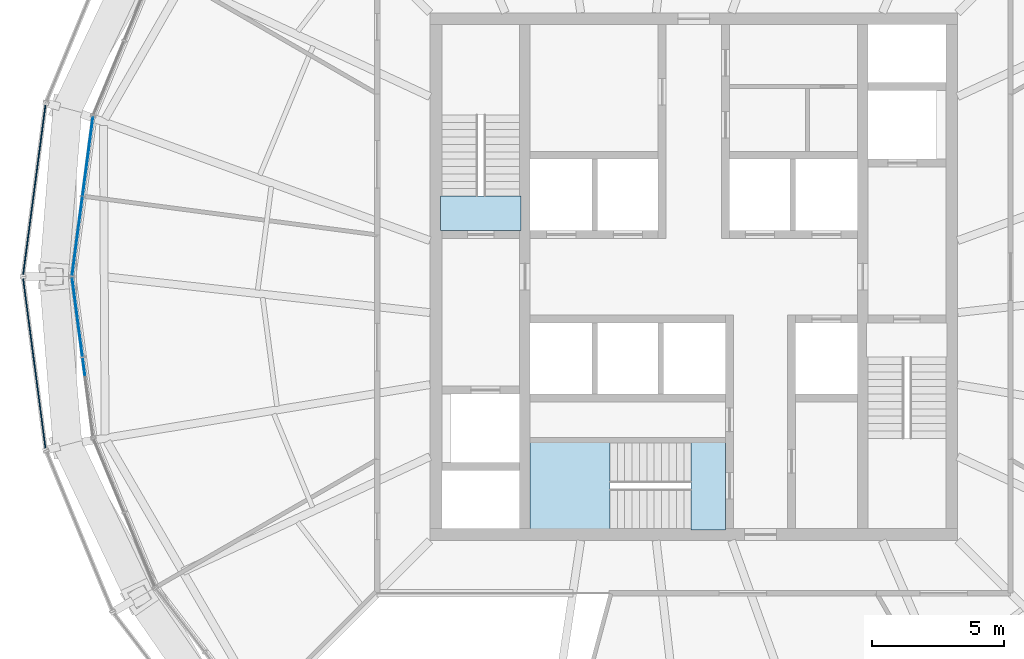
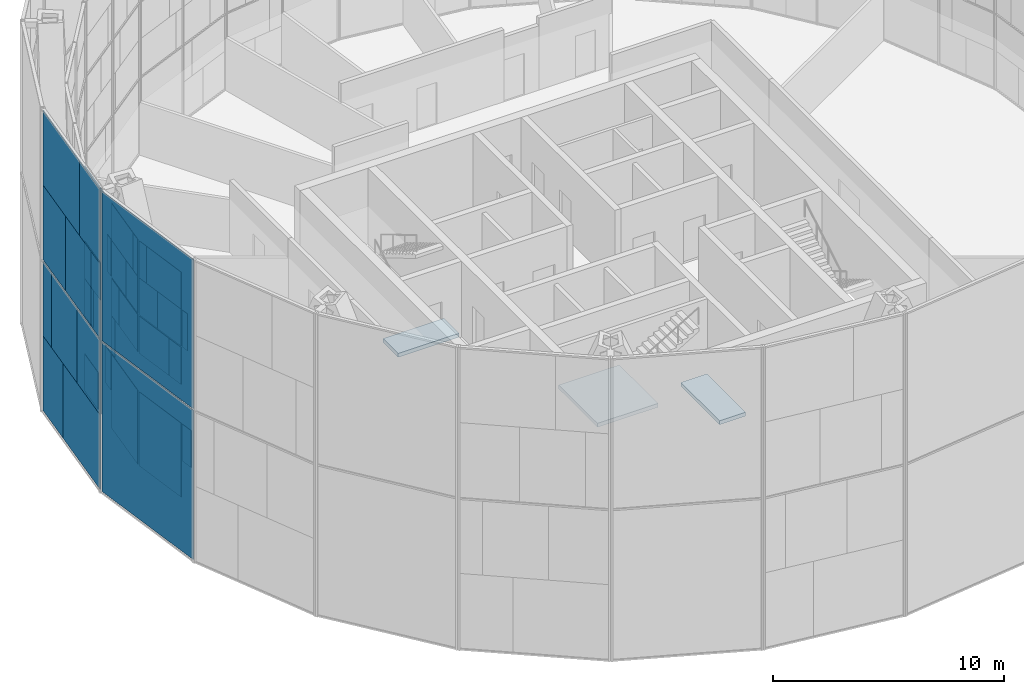
# One storey, part 14 of 26: 43 plates, 3 slabs, 5 elements without a shape of their own.
"""IFC4 building model written with IfcOpenShell, lengths in metres."""

import ifcopenshell
import ifcopenshell.guid

model = None  # the IFC model being written
_history = None  # IfcOwnerHistory: only IFC2X3 demands one
_inside = {}  # id of a spatial element -> (the spatial element, [elements in it])
_under = {}  # id of a project, library or spatial element -> (it, [spatial elements below it])
_declared = {}  # id of a project -> (the project, [libraries it declares])
_typed = {}  # id of a type object -> (the type object, [elements of that type])
_made_of = {}  # id of a material, layer set ... -> (it, [elements and type objects made of it])


def new_model(schema):
    """Start an empty IFC model of exactly this schema.

    Asked for "IFC4X3", IfcOpenShell would pick the latest addendum, in which some entities
    have other attributes; the version numbers below select the first issue.
    IFC2X3 requires an IfcOwnerHistory on every rooted entity: one is made here for all.
    """
    global model, _history
    if schema == "IFC4X3":
        model = ifcopenshell.file(schema_version=(4, 3, 0, 0))
    else:
        model = ifcopenshell.file(schema=schema)
    _inside.clear()
    _under.clear()
    _declared.clear()
    _typed.clear()
    _made_of.clear()
    _history = None
    if model.schema == "IFC2X3":
        org = make("IfcOrganization", Name="unknown")
        user = make(
            "IfcPersonAndOrganization",
            ThePerson=make("IfcPerson", FamilyName="unknown"),
            TheOrganization=org,
        )
        app = make(
            "IfcApplication",
            ApplicationDeveloper=org,
            Version="unknown",
            ApplicationFullName="unknown",
            ApplicationIdentifier="unknown",
        )
        _history = make(
            "IfcOwnerHistory",
            OwningUser=user,
            OwningApplication=app,
            ChangeAction="ADDED",
            CreationDate=0,
        )
    return model


def make(cls, **values):
    """One entity of the class cls with the attributes given. An attribute that is None is left unset."""
    return model.create_entity(
        cls, **{name: value for name, value in values.items() if value is not None}
    )


def rooted(cls, **values):
    """An entity with a GlobalId (a new one), such as an element, a storey or a relation."""
    return make(cls, GlobalId=ifcopenshell.guid.new(), OwnerHistory=_history, **values)


def si_unit(unit_type, name, prefix=None):
    """IfcSIUnit, for example si_unit("LENGTHUNIT", "METRE", prefix="MILLI")."""
    return make("IfcSIUnit", UnitType=unit_type, Prefix=prefix, Name=name)


def assignment(units):
    """IfcUnitAssignment: the units of a project."""
    return None if units is None else make("IfcUnitAssignment", Units=units)


def point(xyz):
    """IfcCartesianPoint."""
    return None if xyz is None else make("IfcCartesianPoint", Coordinates=xyz)


def direction(xyz):
    """IfcDirection."""
    return None if xyz is None else make("IfcDirection", DirectionRatios=xyz)


def frame(location, z_axis=None, x_axis=None):
    """IfcAxis2Placement3D, a coordinate frame: its origin and axes. An axis left out is left unset."""
    return make(
        "IfcAxis2Placement3D",
        Location=point(location),
        Axis=direction(z_axis),
        RefDirection=direction(x_axis),
    )


def frame_2d(location, x_axis=None):
    """IfcAxis2Placement2D, a coordinate frame in the plane: its origin and x axis."""
    return make(
        "IfcAxis2Placement2D", Location=point(location), RefDirection=direction(x_axis)
    )


def origin():
    """The frame at (0, 0, 0) with its axes left unset."""
    return frame((0.0, 0.0, 0.0))


def origin_2d():
    """The frame at (0, 0) in the plane with its x axis left unset."""
    return frame_2d((0.0, 0.0))


def place(relative_to, where):
    """IfcLocalPlacement: puts the frame where relative to a parent placement (None: the world)."""
    return make(
        "IfcLocalPlacement", PlacementRelTo=relative_to, RelativePlacement=where
    )


def context(
    kind, dimensions, precision=None, world=None, true_north=None, identifier=None
):
    """IfcGeometricRepresentationContext, for example the 3D "Model" context."""
    return make(
        "IfcGeometricRepresentationContext",
        ContextIdentifier=identifier,
        ContextType=kind,
        CoordinateSpaceDimension=dimensions,
        Precision=precision,
        WorldCoordinateSystem=world,
        TrueNorth=true_north,
    )


def subcontext(parent, identifier, kind, view, scale=None):
    """IfcGeometricRepresentationSubContext, for example "Body" below "Model"."""
    return make(
        "IfcGeometricRepresentationSubContext",
        ContextIdentifier=identifier,
        ContextType=kind,
        ParentContext=parent,
        TargetScale=scale,
        TargetView=view,
    )


def project(units=None, contexts=None):
    """IfcProject with its units and contexts."""
    return rooted(
        "IfcProject",
        Name="project",
        RepresentationContexts=contexts,
        UnitsInContext=assignment(units),
    )


def spatial(cls, under=None, at=None, **own):
    """A site, building, storey or space (cls), placed at a placement, below another one or the project."""
    s = rooted(cls, ObjectPlacement=at, **own)
    if under is not None:
        _under.setdefault(under.id(), (under, []))[1].append(s)
    return s


def polyline(points):
    """IfcPolyline through the points."""
    return make("IfcPolyline", Points=[point(p) for p in points])


def profile(cls, at=None, kind="AREA", **sizes):
    """A parametric profile (cls). Its sizes go by their IFC names, for example OverallWidth=200.0."""
    return make(cls, ProfileType=kind, Position=at, **sizes)


def rectangle(**sizes):
    """IfcRectangleProfileDef."""
    return profile("IfcRectangleProfileDef", **sizes)


def outline(outer, holes=None, kind="AREA"):
    """IfcArbitraryClosedProfileDef: a profile drawn as a closed curve; with holes, ...WithVoids."""
    if holes is None:
        return make("IfcArbitraryClosedProfileDef", ProfileType=kind, OuterCurve=outer)
    return make(
        "IfcArbitraryProfileDefWithVoids",
        ProfileType=kind,
        OuterCurve=outer,
        InnerCurves=holes,
    )


def extrude(swept, where, along, depth):
    """IfcExtrudedAreaSolid: the profile swept, set in the frame where, extruded along a direction by depth."""
    return make(
        "IfcExtrudedAreaSolid",
        SweptArea=swept,
        Position=where,
        ExtrudedDirection=direction(along),
        Depth=depth,
    )


def shape(context_of_items, identifier, shape_type, items):
    """IfcShapeRepresentation: the items that make up one representation, for example the "Body"."""
    return make(
        "IfcShapeRepresentation",
        ContextOfItems=context_of_items,
        RepresentationIdentifier=identifier,
        RepresentationType=shape_type,
        Items=items,
    )


def material(Name=None, Category=None):
    """IfcMaterial."""
    return make("IfcMaterial", Name=Name, Category=Category)


def layer(
    of_material, thickness, ventilated=None, Name=None, Category=None, Priority=None
):
    """IfcMaterialLayer: one layer of a wall or slab, of a material (None: an air gap)."""
    return make(
        "IfcMaterialLayer",
        Material=of_material,
        LayerThickness=thickness,
        IsVentilated=ventilated,
        Name=Name,
        Category=Category,
        Priority=Priority,
    )


def layer_set(layers, Name=None):
    """IfcMaterialLayerSet."""
    return make("IfcMaterialLayerSet", MaterialLayers=layers, LayerSetName=Name)


def made_of(thing, what):
    """Note that an element or type object is made of a material, layer set ...; save() writes the relation."""
    if what is not None:
        _made_of.setdefault(what.id(), (what, []))[1].append(thing)
    return thing


def type_object(cls, material=None, **own):
    """A type object (cls), such as IfcWallType, which elements share."""
    return made_of(rooted(cls, **own), material)


def element(
    cls,
    number,
    at=None,
    inside=None,
    cuts=None,
    type_object=None,
    material=None,
    context=None,
    identifier="Body",
    shape_type=None,
    held_by="IfcProductDefinitionShape",
    body=None,
    shapes=None,
    **own,
):
    """One element of the class cls, such as IfcWall. Its Tag is "e" and its number.

    at: its placement. inside: the storey or other place that contains it. cuts: it is an
    opening in that element (IfcRelVoidsElement). A single representation is given by context,
    identifier, shape_type and body (its items); several are given by shapes. held_by: the class
    of the entity that holds the representations. save() writes the other relations.
    """
    e = rooted(cls, Tag="e%d" % number, ObjectPlacement=at, **own)
    if body is not None:
        shapes = [shape(context, identifier, shape_type, body)]
    if shapes is not None:
        e.Representation = make(held_by, Representations=shapes)
    if inside is not None:
        _inside.setdefault(inside.id(), (inside, []))[1].append(e)
    if cuts is not None:
        rooted(
            "IfcRelVoidsElement", RelatingBuildingElement=cuts, RelatedOpeningElement=e
        )
    if type_object is not None:
        _typed.setdefault(type_object.id(), (type_object, []))[1].append(e)
    return made_of(e, material)


def aggregate(whole, parts):
    """IfcRelAggregates: a whole, such as a stair, and the parts it consists of."""
    return rooted("IfcRelAggregates", RelatingObject=whole, RelatedObjects=parts)


def save(model, path):
    """Write the relations noted so far, then the file.

    IfcRelAggregates (storeys below a building ...), IfcRelContainedInSpatialStructure (elements
    in a storey), IfcRelDefinesByType, IfcRelAssociatesMaterial and IfcRelDeclares: one each for
    every whole, place, type object, material and project.
    """
    for whole, parts in _under.values():
        aggregate(whole, parts)
    for where, things in _inside.values():
        rooted(
            "IfcRelContainedInSpatialStructure",
            RelatedElements=things,
            RelatingStructure=where,
        )
    for kind, things in _typed.values():
        rooted("IfcRelDefinesByType", RelatedObjects=things, RelatingType=kind)
    for what, things in _made_of.values():
        rooted("IfcRelAssociatesMaterial", RelatedObjects=things, RelatingMaterial=what)
    for by, libraries in _declared.values():
        rooted("IfcRelDeclares", RelatingContext=by, RelatedDefinitions=libraries)
    model.write(path)


model = new_model("IFC4")

# Units and contexts
model_context = context("Model", 3, precision=1e-05, world=origin(), true_north=direction((0.0, 1.0)))
body_context = subcontext(model_context, "Body", "Model", "MODEL_VIEW")
ifc_project = project(units=[si_unit("LENGTHUNIT", "METRE"), si_unit("AREAUNIT", "SQUARE_METRE"), si_unit("VOLUMEUNIT", "CUBIC_METRE"), si_unit("PLANEANGLEUNIT", "RADIAN"), si_unit("MASSUNIT", "GRAM", prefix="KILO")], contexts=[model_context])

# Site, building, storey
site_placement = place(None, origin())
site = spatial("IfcSite", under=ifc_project, at=site_placement, CompositionType="ELEMENT")
building_placement = place(site_placement, origin())
building = spatial("IfcBuilding", under=site, at=building_placement, Name="Golbaran Civic Tower", CompositionType="ELEMENT")
storey_placement = place(building_placement, frame((0.0, 0.0, 199.0)))
storey = spatial("IfcBuildingStorey", under=building, at=storey_placement, Name="L48", CompositionType="ELEMENT", Elevation=199.0)

# Curtain wall, plates
ifc_material_1 = material(Name="Aluminium and glass", Category="aluminium")
curtain_wall_type_1 = type_object("IfcCurtainWallType", Name="INNER SKIN CURTAIN WALL EXECUTIVE", PredefinedType="NOTDEFINED", material=ifc_material_1)
curtain_wall_1_placement = place(storey_placement, origin())
curtain_wall_1 = element("IfcCurtainWall", 1, at=curtain_wall_1_placement, inside=storey, type_object=curtain_wall_type_1, Name="Inner skin L48 facet 12 CW2", ObjectType="INNER SKIN", PredefinedType="USERDEFINED")
ifc_material_2 = material(Name="Clear insulating glass", Category="glass")
ifc_layer_1 = layer(ifc_material_2, 0.031982421875, Name="Clear insulating glass")
ifc_layer_set_1 = layer_set([ifc_layer_1], Name="Clear insulating glass")
plate_type_1 = type_object("IfcPlateType", Name="INNER SKIN CURTAIN WALL EXECUTIVE GLAZED PANEL", PredefinedType="CURTAIN_PANEL", material=ifc_layer_set_1)
plate_1_placement = place(storey_placement, frame((-23.068115234375, 3.7900390625, 0.06005859375), z_axis=(0.0, 0.0, 1.0), x_axis=(-0.130526192237, -0.991444861372, 0.0)))
plate_1 = element("IfcPlate", 2, at=plate_1_placement, type_object=plate_type_1, Name="CW2 panel 1.1 part 2", PredefinedType="CURTAIN_PANEL", context=body_context, shape_type="SweptSolid", body=[
    extrude(rectangle(XDim=1.43310546875, YDim=0.031982421875, at=origin_2d()), origin(), (0.0, 0.0, 1.0), 1.955078125),
])
plate_2_placement = place(storey_placement, frame((-23.118896484375, 3.40380859375, 2.014892578125), z_axis=(0.0, 0.0, 1.0), x_axis=(-0.130526192237, -0.991444861372, 0.0)))
plate_2 = element("IfcPlate", 3, at=plate_2_placement, type_object=plate_type_1, Name="CW2 panel 1.1 part 4", PredefinedType="CURTAIN_PANEL", context=body_context, shape_type="SweptSolid", body=[
    extrude(rectangle(XDim=0.654052734375, YDim=0.031982421875, at=origin_2d()), origin(), (0.0, 0.0, 1.0), 1.955078125),
])
plate_3_placement = place(storey_placement, frame((-22.839599609375, 5.526123046875, 4.02978515625), z_axis=(0.0, 0.0, 1.0), x_axis=(-0.130526192237, -0.991444861372, 0.0)))
plate_3 = element("IfcPlate", 4, at=plate_3_placement, type_object=plate_type_1, Name="CW2 panel 1.2 part 1", PredefinedType="CURTAIN_PANEL", context=body_context, shape_type="SweptSolid", body=[
    extrude(rectangle(XDim=1.037109375, YDim=0.031982421875, at=origin_2d()), origin(), (0.0, 0.0, 1.0), 1.969970703125),
])
plate_4_placement = place(storey_placement, frame((-22.890625, 5.136962890625, 6.0), z_axis=(0.0, 0.0, 1.0), x_axis=(-0.130526192237, -0.991444861372, 0.0)))
plate_4 = element("IfcPlate", 5, at=plate_4_placement, type_object=plate_type_1, Name="CW2 panel 1.2 part 3", PredefinedType="CURTAIN_PANEL", context=body_context, shape_type="SweptSolid", body=[
    extrude(rectangle(XDim=1.822021484375, YDim=0.031982421875, at=origin_2d()), origin(), (0.0, 0.0, 1.0), 1.969970703125),
])
plate_5_placement = place(storey_placement, frame((-22.9404296875, 4.758544921875, 8.030029296875), z_axis=(0.0, 0.0, 1.0), x_axis=(-0.130526192237, -0.991444861372, 0.0)))
plate_5 = element("IfcPlate", 6, at=plate_5_placement, type_object=plate_type_1, Name="CW2 panel 1.3 part 1", PredefinedType="CURTAIN_PANEL", context=body_context, shape_type="SweptSolid", body=[
    extrude(rectangle(XDim=2.5849609375, YDim=0.031982421875, at=origin_2d()), origin(), (0.0, 0.0, 1.0), 1.955078125),
])
plate_6_placement = place(storey_placement, frame((-22.966796875, 4.559814453125, 9.98486328125), z_axis=(0.0, 0.0, 1.0), x_axis=(-0.130526192237, -0.991444861372, 0.0)))
plate_6 = element("IfcPlate", 7, at=plate_6_placement, type_object=plate_type_1, Name="CW2 panel 1.3 part 3", PredefinedType="CURTAIN_PANEL", context=body_context, shape_type="SweptSolid", body=[
    extrude(rectangle(XDim=2.986083984375, YDim=0.031982421875, at=origin_2d()), origin(), (0.0, 0.0, 1.0), 1.955078125),
])
plate_7_placement = place(storey_placement, frame((-23.3642578125, 1.539794921875, 0.06005859375), z_axis=(0.0, 0.0, 1.0), x_axis=(-0.130526192237, -0.991444861372, 0.0)))
plate_7 = element("IfcPlate", 8, at=plate_7_placement, type_object=plate_type_1, Name="CW2 panel 2.1", PredefinedType="CURTAIN_PANEL", context=body_context, shape_type="SweptSolid", body=[
    extrude(rectangle(XDim=2.986083984375, YDim=0.031982421875, at=origin_2d()), origin(), (0.0, 0.0, 1.0), 3.909912109375),
])
plate_8_placement = place(storey_placement, frame((-23.390380859375, 1.341552734375, 4.02978515625), z_axis=(0.0, 0.0, 1.0), x_axis=(-0.130526192237, -0.991444861372, 0.0)))
plate_8 = element("IfcPlate", 9, at=plate_8_placement, type_object=plate_type_1, Name="CW2 panel 2.2 part 2", PredefinedType="CURTAIN_PANEL", context=body_context, shape_type="SweptSolid", body=[
    extrude(rectangle(XDim=2.586181640625, YDim=0.031982421875, at=origin_2d()), origin(), (0.0, 0.0, 1.0), 1.969970703125),
])
plate_9_placement = place(storey_placement, frame((-23.421630859375, 1.10400390625, 6.0), z_axis=(0.0, 0.0, 1.0), x_axis=(-0.130526192237, -0.991444861372, 0.0)))
plate_9 = element("IfcPlate", 10, at=plate_9_placement, type_object=plate_type_1, Name="CW2 panel 2.2 part 4", PredefinedType="CURTAIN_PANEL", context=body_context, shape_type="SweptSolid", body=[
    extrude(rectangle(XDim=2.107177734375, YDim=0.031982421875, at=origin_2d()), origin(), (0.0, 0.0, 1.0), 1.969970703125),
])
plate_10_placement = place(storey_placement, frame((-23.47412109375, 0.7060546875, 8.030029296875), z_axis=(0.0, 0.0, 1.0), x_axis=(-0.130526192237, -0.991444861372, 0.0)))
plate_10 = element("IfcPlate", 11, at=plate_10_placement, type_object=plate_type_1, Name="CW2 panel 2.3 part 2", PredefinedType="CURTAIN_PANEL", context=body_context, shape_type="SweptSolid", body=[
    extrude(rectangle(XDim=1.30419921875, YDim=0.031982421875, at=origin_2d()), origin(), (0.0, 0.0, 1.0), 1.955078125),
])
plate_11_placement = place(storey_placement, frame((-23.52490234375, 0.31982421875, 9.98486328125), z_axis=(0.0, 0.0, 1.0), x_axis=(-0.130526192237, -0.991444861372, 0.0)))
plate_11 = element("IfcPlate", 12, at=plate_11_placement, type_object=plate_type_1, Name="CW2 panel 2.3 part 4", PredefinedType="CURTAIN_PANEL", context=body_context, shape_type="SweptSolid", body=[
    extrude(rectangle(XDim=0.525146484375, YDim=0.031982421875, at=origin_2d()), origin(), (0.0, 0.0, 1.0), 1.955078125),
])

curtain_wall_2_placement = place(storey_placement, origin())
curtain_wall_2 = element("IfcCurtainWall", 13, at=curtain_wall_2_placement, inside=storey, type_object=curtain_wall_type_1, Name="Inner skin L48 facet 13 CW2", ObjectType="INNER SKIN", PredefinedType="USERDEFINED")
plate_12_placement = place(storey_placement, frame((-23.3642578125, -1.539794921875, 0.06005859375), z_axis=(0.0, 0.0, 1.0), x_axis=(0.130526192237, -0.991444861372, 0.0)))
plate_12 = element("IfcPlate", 14, at=plate_12_placement, type_object=plate_type_1, Name="CW2 panel 1.1", PredefinedType="CURTAIN_PANEL", context=body_context, shape_type="SweptSolid", body=[
    extrude(rectangle(XDim=2.986083984375, YDim=0.031982421875, at=origin_2d()), origin(), (0.0, 0.0, 1.0), 3.909912109375),
])
plate_13_placement = place(storey_placement, frame((-23.390380859375, -1.3408203125, 4.02978515625), z_axis=(0.0, 0.0, 1.0), x_axis=(0.130526192237, -0.991444861372, 0.0)))
plate_13 = element("IfcPlate", 15, at=plate_13_placement, type_object=plate_type_1, Name="CW2 panel 1.2 part 1", PredefinedType="CURTAIN_PANEL", context=body_context, shape_type="SweptSolid", body=[
    extrude(rectangle(XDim=2.5849609375, YDim=0.031982421875, at=origin_2d()), origin(), (0.0, 0.0, 1.0), 1.969970703125),
])
plate_14_placement = place(storey_placement, frame((-23.421630859375, -1.10400390625, 6.0), z_axis=(0.0, 0.0, 1.0), x_axis=(0.130526192237, -0.991444861372, 0.0)))
plate_14 = element("IfcPlate", 16, at=plate_14_placement, type_object=plate_type_1, Name="CW2 panel 1.2 part 3", PredefinedType="CURTAIN_PANEL", context=body_context, shape_type="SweptSolid", body=[
    extrude(rectangle(XDim=2.10693359375, YDim=0.031982421875, at=origin_2d()), origin(), (0.0, 0.0, 1.0), 1.969970703125),
])
plate_15_placement = place(storey_placement, frame((-23.47412109375, -0.705810546875, 8.030029296875), z_axis=(0.0, 0.0, 1.0), x_axis=(0.130526192237, -0.991444861372, 0.0)))
plate_15 = element("IfcPlate", 17, at=plate_15_placement, type_object=plate_type_1, Name="CW2 panel 1.3 part 1", PredefinedType="CURTAIN_PANEL", context=body_context, shape_type="SweptSolid", body=[
    extrude(rectangle(XDim=1.303955078125, YDim=0.031982421875, at=origin_2d()), origin(), (0.0, 0.0, 1.0), 1.955078125),
])
plate_16_placement = place(storey_placement, frame((-23.52490234375, -0.31982421875, 9.98486328125), z_axis=(0.0, 0.0, 1.0), x_axis=(0.130526192237, -0.991444861372, 0.0)))
plate_16 = element("IfcPlate", 18, at=plate_16_placement, type_object=plate_type_1, Name="CW2 panel 1.3 part 3", PredefinedType="CURTAIN_PANEL", context=body_context, shape_type="SweptSolid", body=[
    extrude(rectangle(XDim=0.52490234375, YDim=0.031982421875, at=origin_2d()), origin(), (0.0, 0.0, 1.0), 1.955078125),
])
plate_17_placement = place(storey_placement, frame((-23.118896484375, -3.40380859375, 2.014892578125), z_axis=(0.0, 0.0, 1.0), x_axis=(0.130526192237, -0.991444861372, 0.0)))
plate_17 = element("IfcPlate", 19, at=plate_17_placement, type_object=plate_type_1, Name="CW2 panel 2.1 part 3", PredefinedType="CURTAIN_PANEL", context=body_context, shape_type="SweptSolid", body=[
    extrude(rectangle(XDim=0.654052734375, YDim=0.031982421875, at=origin_2d()), origin(), (0.0, 0.0, 1.0), 1.955078125),
])

# Plate
ifc_material_3 = material(Name="Aluminium faced opaque infill panel", Category="aluminium")
ifc_layer_2 = layer(ifc_material_3, 0.031982421875, Name="Aluminium faced opaque infill panel")
ifc_layer_set_2 = layer_set([ifc_layer_2], Name="Aluminium faced opaque infill panel")
plate_type_2 = type_object("IfcPlateType", Name="INNER SKIN CURTAIN WALL EXECUTIVE OPAQUE INFILL PANEL", PredefinedType="CURTAIN_PANEL", material=ifc_layer_set_2)
plate_18_placement = place(storey_placement, frame((-22.873046875, 5.270263671875, 0.06005859375), z_axis=(0.0, 0.0, 1.0), x_axis=(-0.130526192237, -0.991444861372, 0.0)))
plate_18 = element("IfcPlate", 20, at=plate_18_placement, type_object=plate_type_2, Name="CW2 infill panel 1.1 part 1", PredefinedType="CURTAIN_PANEL", context=body_context, shape_type="SweptSolid", body=[
    extrude(rectangle(XDim=1.552978515625, YDim=0.031982421875, at=origin_2d()), origin(), (0.0, 0.0, 1.0), 1.955078125),
])

plate_19_placement = place(storey_placement, frame((-22.924072265625, 4.884033203125, 2.014892578125), z_axis=(0.0, 0.0, 1.0), x_axis=(-0.130526192237, -0.991444861372, 0.0)))
plate_19 = element("IfcPlate", 21, at=plate_19_placement, type_object=plate_type_2, Name="CW2 infill panel 1.1 part 3", PredefinedType="CURTAIN_PANEL", context=body_context, shape_type="SweptSolid", body=[
    extrude(rectangle(XDim=2.33203125, YDim=0.031982421875, at=origin_2d()), origin(), (0.0, 0.0, 1.0), 1.955078125),
])

plate_20_placement = place(storey_placement, frame((-23.034423828125, 4.045654296875, 4.02978515625), z_axis=(0.0, 0.0, 1.0), x_axis=(-0.130526192237, -0.991444861372, 0.0)))
plate_20 = element("IfcPlate", 22, at=plate_20_placement, type_object=plate_type_2, Name="CW2 infill panel 1.2 part 2", PredefinedType="CURTAIN_PANEL", context=body_context, shape_type="SweptSolid", body=[
    extrude(rectangle(XDim=1.94921875, YDim=0.031982421875, at=origin_2d()), origin(), (0.0, 0.0, 1.0), 1.969970703125),
])

plate_21_placement = place(storey_placement, frame((-23.085693359375, 3.656494140625, 6.0), z_axis=(0.0, 0.0, 1.0), x_axis=(-0.130526192237, -0.991444861372, 0.0)))
plate_21 = element("IfcPlate", 23, at=plate_21_placement, type_object=plate_type_2, Name="CW2 infill panel 1.2 part 4", PredefinedType="CURTAIN_PANEL", context=body_context, shape_type="SweptSolid", body=[
    extrude(rectangle(XDim=1.1640625, YDim=0.031982421875, at=origin_2d()), origin(), (0.0, 0.0, 1.0), 1.969970703125),
])

plate_22_placement = place(storey_placement, frame((-23.135498046875, 3.2783203125, 8.030029296875), z_axis=(0.0, 0.0, 1.0), x_axis=(-0.130526192237, -0.991444861372, 0.0)))
plate_22 = element("IfcPlate", 24, at=plate_22_placement, type_object=plate_type_2, Name="CW2 infill panel 1.3 part 2", PredefinedType="CURTAIN_PANEL", context=body_context, shape_type="SweptSolid", body=[
    extrude(rectangle(XDim=0.401123046875, YDim=0.031982421875, at=origin_2d()), origin(), (0.0, 0.0, 1.0), 1.955078125),
])

plate_23_placement = place(storey_placement, frame((-23.195556640625, 2.82177734375, 4.02978515625), z_axis=(0.0, 0.0, 1.0), x_axis=(-0.130526192237, -0.991444861372, 0.0)))
plate_23 = element("IfcPlate", 25, at=plate_23_placement, type_object=plate_type_2, Name="CW2 infill panel 2.2 part 1", PredefinedType="CURTAIN_PANEL", context=body_context, shape_type="SweptSolid", body=[
    extrude(rectangle(XDim=0.39990234375, YDim=0.031982421875, at=origin_2d()), origin(), (0.0, 0.0, 1.0), 1.969970703125),
])

plate_24_placement = place(storey_placement, frame((-23.226806640625, 2.584228515625, 6.0), z_axis=(0.0, 0.0, 1.0), x_axis=(-0.130526192237, -0.991444861372, 0.0)))
plate_24 = element("IfcPlate", 26, at=plate_24_placement, type_object=plate_type_2, Name="CW2 infill panel 2.2 part 3", PredefinedType="CURTAIN_PANEL", context=body_context, shape_type="SweptSolid", body=[
    extrude(rectangle(XDim=0.87890625, YDim=0.031982421875, at=origin_2d()), origin(), (0.0, 0.0, 1.0), 1.969970703125),
])

plate_25_placement = place(storey_placement, frame((-23.279296875, 2.186279296875, 8.030029296875), z_axis=(0.0, 0.0, 1.0), x_axis=(-0.130526192237, -0.991444861372, 0.0)))
plate_25 = element("IfcPlate", 27, at=plate_25_placement, type_object=plate_type_2, Name="CW2 infill panel 2.3 part 1", PredefinedType="CURTAIN_PANEL", context=body_context, shape_type="SweptSolid", body=[
    extrude(rectangle(XDim=1.681884765625, YDim=0.031982421875, at=origin_2d()), origin(), (0.0, 0.0, 1.0), 1.955078125),
])

plate_26_placement = place(storey_placement, frame((-23.330078125, 1.800048828125, 9.98486328125), z_axis=(0.0, 0.0, 1.0), x_axis=(-0.130526192237, -0.991444861372, 0.0)))
plate_26 = element("IfcPlate", 28, at=plate_26_placement, type_object=plate_type_2, Name="CW2 infill panel 2.3 part 3", PredefinedType="CURTAIN_PANEL", context=body_context, shape_type="SweptSolid", body=[
    extrude(rectangle(XDim=2.4609375, YDim=0.031982421875, at=origin_2d()), origin(), (0.0, 0.0, 1.0), 1.955078125),
])

aggregate(curtain_wall_1, [plate_18, plate_1, plate_19, plate_2, plate_3, plate_20, plate_4, plate_21, plate_5, plate_22, plate_6, plate_7, plate_23, plate_8, plate_24, plate_9, plate_25, plate_10, plate_26, plate_11])

plate_27_placement = place(storey_placement, frame((-23.195556640625, -2.8212890625, 4.02978515625), z_axis=(0.0, 0.0, 1.0), x_axis=(0.130526192237, -0.991444861372, 0.0)))
plate_27 = element("IfcPlate", 29, at=plate_27_placement, type_object=plate_type_2, Name="CW2 infill panel 1.2 part 2", PredefinedType="CURTAIN_PANEL", context=body_context, shape_type="SweptSolid", body=[
    extrude(rectangle(XDim=0.401123046875, YDim=0.031982421875, at=origin_2d()), origin(), (0.0, 0.0, 1.0), 1.969970703125),
])

plate_28_placement = place(storey_placement, frame((-23.226806640625, -2.584228515625, 6.0), z_axis=(0.0, 0.0, 1.0), x_axis=(0.130526192237, -0.991444861372, 0.0)))
plate_28 = element("IfcPlate", 30, at=plate_28_placement, type_object=plate_type_2, Name="CW2 infill panel 1.2 part 4", PredefinedType="CURTAIN_PANEL", context=body_context, shape_type="SweptSolid", body=[
    extrude(rectangle(XDim=0.879150390625, YDim=0.031982421875, at=origin_2d()), origin(), (0.0, 0.0, 1.0), 1.969970703125),
])

plate_29_placement = place(storey_placement, frame((-23.279296875, -2.186279296875, 8.030029296875), z_axis=(0.0, 0.0, 1.0), x_axis=(0.130526192237, -0.991444861372, 0.0)))
plate_29 = element("IfcPlate", 31, at=plate_29_placement, type_object=plate_type_2, Name="CW2 infill panel 1.3 part 2", PredefinedType="CURTAIN_PANEL", context=body_context, shape_type="SweptSolid", body=[
    extrude(rectangle(XDim=1.68212890625, YDim=0.031982421875, at=origin_2d()), origin(), (0.0, 0.0, 1.0), 1.955078125),
])

plate_30_placement = place(storey_placement, frame((-23.330078125, -1.800048828125, 9.98486328125), z_axis=(0.0, 0.0, 1.0), x_axis=(0.130526192237, -0.991444861372, 0.0)))
plate_30 = element("IfcPlate", 32, at=plate_30_placement, type_object=plate_type_2, Name="CW2 infill panel 1.3 part 4", PredefinedType="CURTAIN_PANEL", context=body_context, shape_type="SweptSolid", body=[
    extrude(rectangle(XDim=2.461181640625, YDim=0.031982421875, at=origin_2d()), origin(), (0.0, 0.0, 1.0), 1.955078125),
])

plate_31_placement = place(storey_placement, frame((-23.135498046875, -3.27783203125, 8.030029296875), z_axis=(0.0, 0.0, 1.0), x_axis=(0.130526192237, -0.991444861372, 0.0)))
plate_31 = element("IfcPlate", 33, at=plate_31_placement, type_object=plate_type_2, Name="CW2 infill panel 2.3 part 1", PredefinedType="CURTAIN_PANEL", context=body_context, shape_type="SweptSolid", body=[
    extrude(rectangle(XDim=0.39990234375, YDim=0.031982421875, at=origin_2d()), origin(), (0.0, 0.0, 1.0), 1.955078125),
])

aggregate(curtain_wall_2, [plate_12, plate_13, plate_27, plate_14, plate_28, plate_15, plate_29, plate_16, plate_30, plate_17, plate_31])

# Curtain wall, plates
curtain_wall_type_2 = type_object("IfcCurtainWallType", Name="OUTER SKIN TERRACOTTA SCREEN", PredefinedType="NOTDEFINED", material=ifc_material_1)
curtain_wall_3_placement = place(storey_placement, origin())
curtain_wall_3 = element("IfcCurtainWall", 34, at=curtain_wall_3_placement, inside=storey, type_object=curtain_wall_type_2, Name="Outer skin L48 facet 12 CW3", ObjectType="OUTER SKIN", PredefinedType="USERDEFINED")
ifc_material_4 = material(Name="Clear laminated glass", Category="glass")
ifc_layer_3 = layer(ifc_material_4, 0.0400390625, Name="Clear laminated glass")
ifc_layer_set_3 = layer_set([ifc_layer_3], Name="Clear laminated glass")
plate_type_3 = type_object("IfcPlateType", Name="OUTER SKIN CLEAR GLASS PANEL", PredefinedType="CURTAIN_PANEL", material=ifc_layer_set_3)
plate_32_placement = place(storey_placement, frame((-25.144287109375, 2.154541015625, -0.6298828125), z_axis=(0.0, 0.0, 1.0), x_axis=(-0.130526192203, -0.991444861376, 0.0)))
plate_32 = element("IfcPlate", 35, at=plate_32_placement, type_object=plate_type_3, Name="CW3 panel 1.1 part 2", PredefinedType="CURTAIN_PANEL", context=body_context, shape_type="SweptSolid", body=[
    extrude(rectangle(XDim=4.18603515625, YDim=0.0400390625, at=origin_2d()), origin(), (0.0, 0.0, 1.0), 3.93994140625),
])
plate_33_placement = place(storey_placement, frame((-24.635498046875, 6.01953125, 3.31005859375), z_axis=(0.0, 0.0, 1.0), x_axis=(-0.130526192203, -0.991444861376, 0.0)))
plate_33 = element("IfcPlate", 36, at=plate_33_placement, type_object=plate_type_3, Name="CW3 panel 1.1 part 3", PredefinedType="CURTAIN_PANEL", context=body_context, shape_type="SweptSolid", body=[
    extrude(rectangle(XDim=0.972900390625, YDim=0.0400390625, at=origin_2d()), origin(), (0.0, 0.0, 1.0), 3.93994140625),
])
plate_34_placement = place(storey_placement, frame((-25.246826171875, 1.376708984375, 3.31005859375), z_axis=(0.0, 0.0, 1.0), x_axis=(-0.130526192203, -0.991444861376, 0.0)))
plate_34 = element("IfcPlate", 37, at=plate_34_placement, type_object=plate_type_3, Name="CW3 panel 1.1 part 5", PredefinedType="CURTAIN_PANEL", context=body_context, shape_type="SweptSolid", body=[
    extrude(rectangle(XDim=2.616943359375, YDim=0.0400390625, at=origin_2d()), origin(), (0.0, 0.0, 1.0), 3.93994140625),
])
plate_35_placement = place(storey_placement, frame((-24.740234375, 5.224853515625, 7.330078125), z_axis=(0.0, 0.0, 1.0), x_axis=(-0.130526192203, -0.991444861376, 0.0)))
plate_35 = element("IfcPlate", 38, at=plate_35_placement, type_object=plate_type_3, Name="CW3 panel 1.2 part 1", PredefinedType="CURTAIN_PANEL", context=body_context, shape_type="SweptSolid", body=[
    extrude(rectangle(XDim=2.575927734375, YDim=0.0400390625, at=origin_2d()), origin(), (0.0, 0.0, 1.0), 3.93994140625),
])
plate_36_placement = place(storey_placement, frame((-25.351318359375, 0.58251953125, 7.330078125), z_axis=(0.0, 0.0, 1.0), x_axis=(-0.130526192203, -0.991444861376, 0.0)))
plate_36 = element("IfcPlate", 39, at=plate_36_placement, type_object=plate_type_3, Name="CW3 panel 1.2 part 3", PredefinedType="CURTAIN_PANEL", context=body_context, shape_type="SweptSolid", body=[
    extrude(rectangle(XDim=1.01513671875, YDim=0.0400390625, at=origin_2d()), origin(), (0.0, 0.0, 1.0), 3.93994140625),
])
plate_37_placement = place(storey_placement, frame((-24.8427734375, 4.445068359375, 11.27001953125), z_axis=(0.0, 0.0, 1.0), x_axis=(-0.130526192203, -0.991444861376, 0.0)))
plate_37 = element("IfcPlate", 40, at=plate_37_placement, type_object=plate_type_3, Name="CW3 panel 1.2 part 4", PredefinedType="CURTAIN_PANEL", context=body_context, shape_type="SweptSolid", body=[
    extrude(rectangle(XDim=4.14892578125, YDim=0.0400390625, at=origin_2d()), origin(), (0.0, 0.0, 1.0), 3.93994140625),
])
ifc_material_5 = material(Name="Terracotta baguette screen", Category="masonry")
ifc_layer_4 = layer(ifc_material_5, 0.0400390625, Name="Terracotta baguette screen")
ifc_layer_set_4 = layer_set([ifc_layer_4], Name="Terracotta baguette screen")
plate_type_4 = type_object("IfcPlateType", Name="OUTER SKIN TERRACOTTA INFILL PANEL", PredefinedType="CURTAIN_PANEL", material=ifc_layer_set_4)
plate_38_placement = place(storey_placement, frame((-24.7216796875, 5.36572265625, -0.6298828125), z_axis=(0.0, 0.0, 1.0), x_axis=(-0.130526192203, -0.991444861376, 0.0)))
plate_38 = element("IfcPlate", 41, at=plate_38_placement, type_object=plate_type_4, Name="CW3 infill panel 1.1 part 1", PredefinedType="CURTAIN_PANEL", context=body_context, shape_type="SweptSolid", body=[
    extrude(rectangle(XDim=2.2919921875, YDim=0.0400390625, at=origin_2d()), origin(), (0.0, 0.0, 1.0), 3.93994140625),
])
plate_39_placement = place(storey_placement, frame((-24.887451171875, 4.105712890625, 3.31005859375), z_axis=(0.0, 0.0, 1.0), x_axis=(-0.130526192203, -0.991444861376, 0.0)))
plate_39 = element("IfcPlate", 42, at=plate_39_placement, type_object=plate_type_4, Name="CW3 infill panel 1.1 part 4", PredefinedType="CURTAIN_PANEL", context=body_context, shape_type="SweptSolid", body=[
    extrude(rectangle(XDim=2.887939453125, YDim=0.0400390625, at=origin_2d()), origin(), (0.0, 0.0, 1.0), 3.93994140625),
])
plate_40_placement = place(storey_placement, frame((-25.0966796875, 2.516845703125, 7.330078125), z_axis=(0.0, 0.0, 1.0), x_axis=(-0.130526192203, -0.991444861376, 0.0)))
plate_40 = element("IfcPlate", 43, at=plate_40_placement, type_object=plate_type_4, Name="CW3 infill panel 1.2 part 2", PredefinedType="CURTAIN_PANEL", context=body_context, shape_type="SweptSolid", body=[
    extrude(rectangle(XDim=2.886962890625, YDim=0.0400390625, at=origin_2d()), origin(), (0.0, 0.0, 1.0), 3.93994140625),
])
plate_41_placement = place(storey_placement, frame((-25.265625, 1.23388671875, 11.27001953125), z_axis=(0.0, 0.0, 1.0), x_axis=(-0.130526192203, -0.991444861376, 0.0)))
plate_41 = element("IfcPlate", 44, at=plate_41_placement, type_object=plate_type_4, Name="CW3 infill panel 1.2 part 5", PredefinedType="CURTAIN_PANEL", context=body_context, shape_type="SweptSolid", body=[
    extrude(rectangle(XDim=2.3291015625, YDim=0.0400390625, at=origin_2d()), origin(), (0.0, 0.0, 1.0), 3.93994140625),
])
aggregate(curtain_wall_3, [plate_38, plate_32, plate_33, plate_39, plate_34, plate_35, plate_40, plate_36, plate_37, plate_41])

curtain_wall_4_placement = place(storey_placement, origin())
curtain_wall_4 = element("IfcCurtainWall", 45, at=curtain_wall_4_placement, inside=storey, type_object=curtain_wall_type_2, Name="Outer skin L48 facet 13 CW3", ObjectType="OUTER SKIN", PredefinedType="USERDEFINED")
ifc_layer_5 = layer(ifc_material_5, 0.0400390625, Name="Terracotta baguette screen")
ifc_layer_set_5 = layer_set([ifc_layer_5], Name="Terracotta baguette screen")
plate_type_5 = type_object("IfcPlateType", Name="OUTER SKIN TERRACOTTA SCREEN PANEL", PredefinedType="CURTAIN_PANEL", material=ifc_layer_set_5)
plate_42_placement = place(storey_placement, frame((-24.994873046875, -3.29052734375, -0.6298828125), z_axis=(0.0, 0.0, 1.0), x_axis=(0.130526192203, -0.991444861376, 0.0)))
plate_42 = element("IfcPlate", 46, at=plate_42_placement, type_object=plate_type_5, Name="CW3 terracotta screen panel 1.1", PredefinedType="CURTAIN_PANEL", context=body_context, shape_type="SweptSolid", body=[
    extrude(rectangle(XDim=6.47802734375, YDim=0.0400390625, at=origin_2d()), origin(), (0.0, 0.0, 1.0), 7.8798828125),
])
plate_43_placement = place(storey_placement, frame((-24.994873046875, -3.29052734375, 7.330078125), z_axis=(0.0, 0.0, 1.0), x_axis=(0.130526192203, -0.991444861376, 0.0)))
plate_43 = element("IfcPlate", 47, at=plate_43_placement, type_object=plate_type_5, Name="CW3 terracotta screen panel 1.2", PredefinedType="CURTAIN_PANEL", context=body_context, shape_type="SweptSolid", body=[
    extrude(rectangle(XDim=6.47802734375, YDim=0.0400390625, at=origin_2d()), origin(), (0.0, 0.0, 1.0), 7.8798828125),
])
aggregate(curtain_wall_4, [plate_42, plate_43])

# Slab
ifc_material_6 = material(Name="Concrete C35/45", Category="concrete")
ifc_layer_6 = layer(ifc_material_6, 0.199951171875, Name="Concrete C35/45")
ifc_layer_set_6 = layer_set([ifc_layer_6], Name="Concrete C35/45")
slab_type = type_object("IfcSlabType", Name="STAIR LANDING 200", PredefinedType="LANDING", material=ifc_layer_set_6)
slab_1_placement = place(storey_placement, frame((0.0, 0.0, -0.199951171875)))
element("IfcSlab", 48, at=slab_1_placement, inside=storey, type_object=slab_type, Name="Stair S1 floor landing L48", PredefinedType="LANDING", context=body_context, shape_type="SweptSolid", body=[
    extrude(outline(polyline([(-9.60009765625, 1.75), (-9.60009765625, 3.054931640625), (-6.550048828125, 3.054931640625), (-6.550048828125, 1.75), (-9.60009765625, 1.75)])), origin(), (0.0, 0.0, 1.0), 0.199951171875),
])

# Stair, slab
stair_type = type_object("IfcStairType", Name="EXIT STAIR 3250 x 7400, 4000 RISE", PredefinedType="HALF_TURN_STAIR", material=ifc_material_6)
stair_placement = place(storey_placement, origin())
stair = element("IfcStair", 49, at=stair_placement, inside=storey, type_object=stair_type, Name="Stair S3 L48", PredefinedType="HALF_TURN_STAIR")
slab_2_placement = place(storey_placement, frame((0.0, 0.0, 1.800048828125)))
slab_2 = element("IfcSlab", 50, at=slab_2_placement, type_object=slab_type, Name="ST32574-40 landing 1", PredefinedType="LANDING", context=body_context, shape_type="SweptSolid", body=[
    extrude(outline(polyline([(-3.175048828125, -9.60009765625), (-6.199951171875, -9.60009765625), (-6.199951171875, -6.25), (-3.175048828125, -6.25), (-3.175048828125, -9.60009765625)])), origin(), (0.0, 0.0, 1.0), 0.199951171875),
])
aggregate(stair, [slab_2])

# Slab
slab_3_placement = place(storey_placement, frame((0.0, 0.0, -0.199951171875)))
element("IfcSlab", 51, at=slab_3_placement, inside=storey, type_object=slab_type, Name="Stair S3 floor landing L48", PredefinedType="LANDING", context=body_context, shape_type="SweptSolid", body=[
    extrude(outline(polyline([(1.199951171875, -9.60009765625), (-0.10498046875, -9.60009765625), (-0.10498046875, -6.25), (1.199951171875, -6.25), (1.199951171875, -9.60009765625)])), origin(), (0.0, 0.0, 1.0), 0.199951171875),
])

save(model, "model.ifc")
